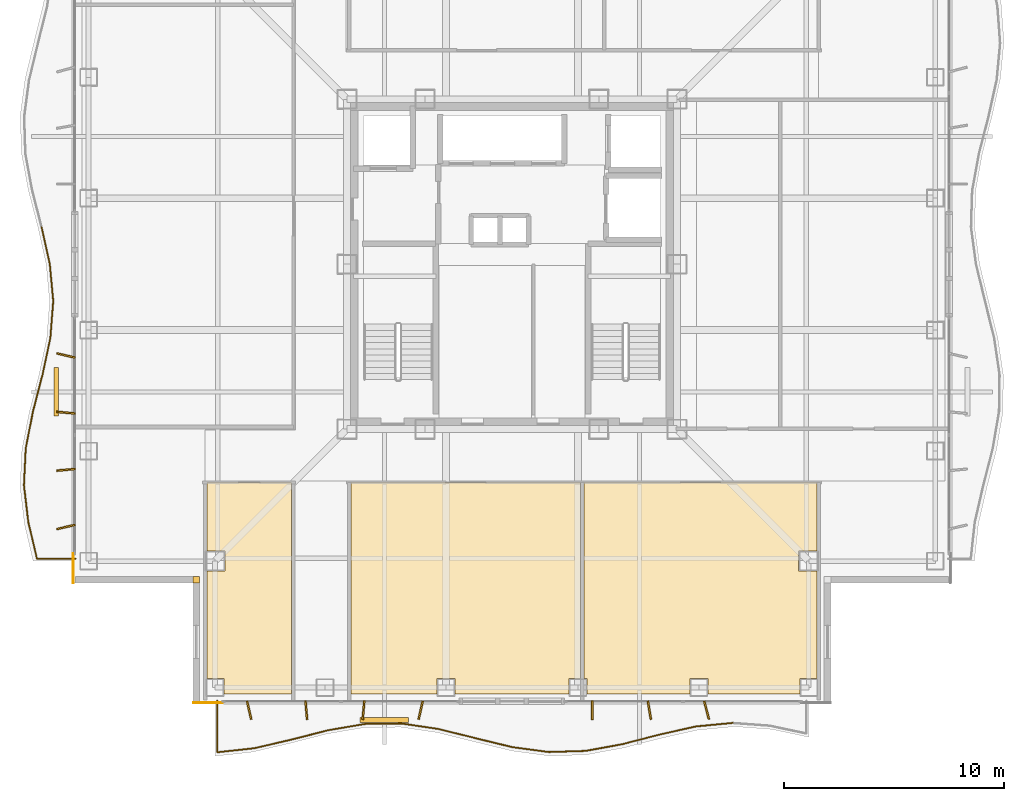
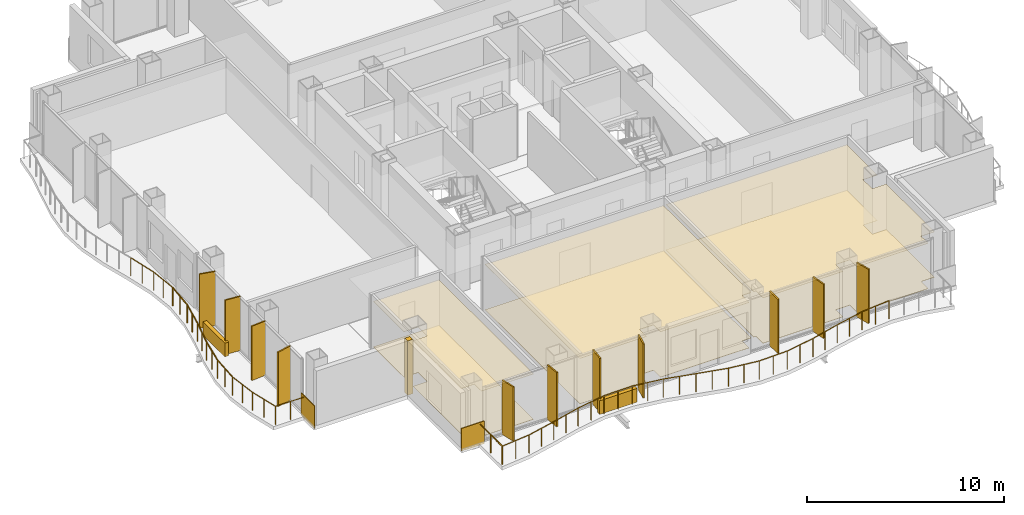
# One storey, part 13 of 16: 25 railings, 13 shading devices, 9 coverings.
"""IFC4 building model written with IfcOpenShell, lengths in metres."""

from ifc_helpers import new_model, si_unit, direction, frame, frame_2d, origin, origin_2d, place, context, subcontext, project, spatial, polyline, rectangle, circle, outline, extrude, material, layer, layer_set, type_object, element, save


model = new_model("IFC4")

# Units and contexts
model_context = context("Model", 3, precision=1e-05, world=origin(), true_north=direction((0.0, 1.0)))
body_context = subcontext(model_context, "Body", "Model", "MODEL_VIEW")
ifc_project = project(units=[si_unit("LENGTHUNIT", "METRE"), si_unit("AREAUNIT", "SQUARE_METRE"), si_unit("VOLUMEUNIT", "CUBIC_METRE"), si_unit("PLANEANGLEUNIT", "RADIAN"), si_unit("MASSUNIT", "GRAM", prefix="KILO")], contexts=[model_context])

# Site, building, storey
site_placement = place(None, origin())
site = spatial("IfcSite", under=ifc_project, at=site_placement, CompositionType="ELEMENT")
building_placement = place(site_placement, origin())
building = spatial("IfcBuilding", under=site, at=building_placement, Name="Trevonay Congress Spire", CompositionType="ELEMENT")
storey_placement = place(building_placement, frame((0.0, 0.0, 195.0)))
storey = spatial("IfcBuildingStorey", under=building, at=storey_placement, Name="L50", CompositionType="ELEMENT", Elevation=195.0)

# Coverings
ifc_material_1 = material(Name="Acoustic Mineral Fibre Board", Category="gypsum")
ifc_layer_1 = layer(ifc_material_1, 0.02490234375, Name="Acoustic Mineral Fibre Board")
ifc_layer_set_1 = layer_set([ifc_layer_1], Name="Acoustic Mineral Fibre Board")
covering_type_1 = type_object("IfcCoveringType", Name="COV-CEIL-ACOUSTIC", PredefinedType="CEILING", material=ifc_layer_set_1)
covering_1_placement = place(storey_placement, frame((0.0, 0.0, 2.81005859375)))
element("IfcCovering", 1, at=covering_1_placement, inside=storey, type_object=covering_type_1, Name="L50 Sommelier Wine Tasting Cellar acoustic suspended ceiling", PredefinedType="CEILING", context=body_context, shape_type="SweptSolid", body=[
    extrude(outline(polyline([(-13.8701171875, -9.929931640625), (-10.030029296875, -9.929931640625), (-10.030029296875, -19.550048828125), (-13.090087890625, -19.550048828125), (-13.090087890625, -18.840087890625), (-13.8701171875, -18.840087890625), (-13.8701171875, -13.9599609375), (-13.0400390625, -13.9599609375), (-13.0400390625, -13.0400390625), (-13.8701171875, -13.0400390625), (-13.8701171875, -9.929931640625)])), origin(), (0.0, 0.0, 1.0), 0.02490234375),
])
covering_2_placement = place(storey_placement, frame((0.0, 0.0, 2.81005859375)))
element("IfcCovering", 2, at=covering_2_placement, inside=storey, type_object=covering_type_1, Name="L50 Corporate Main Production Kitchen acoustic suspended ceiling", PredefinedType="CEILING", context=body_context, shape_type="SweptSolid", body=[
    extrude(outline(polyline([(-7.320068359375, -19.550048828125), (-7.320068359375, -9.929931640625), (3.1201171875, -9.929931640625), (3.1201171875, -18.840087890625), (2.590087890625, -18.840087890625), (2.590087890625, -19.550048828125), (-2.590087890625, -19.550048828125), (-2.590087890625, -18.840087890625), (-3.409912109375, -18.840087890625), (-3.409912109375, -19.550048828125), (-7.320068359375, -19.550048828125)])), origin(), (0.0, 0.0, 1.0), 0.02490234375),
])
covering_3_placement = place(storey_placement, frame((0.0, 0.0, 2.81005859375)))
element("IfcCovering", 3, at=covering_3_placement, inside=storey, type_object=covering_type_1, Name="L50 Pastry and Garde-Manger Kitchen acoustic suspended ceiling", PredefinedType="CEILING", context=body_context, shape_type="SweptSolid", body=[
    extrude(outline(polyline([(3.409912109375, -19.550048828125), (3.409912109375, -18.840087890625), (3.280029296875, -18.840087890625), (3.280029296875, -9.929931640625), (13.8701171875, -9.929931640625), (13.8701171875, -13.0400390625), (13.0400390625, -13.0400390625), (13.0400390625, -13.9599609375), (13.8701171875, -13.9599609375), (13.8701171875, -18.840087890625), (13.090087890625, -18.840087890625), (13.090087890625, -19.550048828125), (8.909912109375, -19.550048828125), (8.909912109375, -18.840087890625), (8.090087890625, -18.840087890625), (8.090087890625, -19.550048828125), (3.409912109375, -19.550048828125)])), origin(), (0.0, 0.0, 1.0), 0.02490234375),
])
ifc_material_2 = material(Name="Polished Granite Floor Tile", Category="masonry")
ifc_layer_2 = layer(ifc_material_2, 0.02001953125, Name="Polished Granite Floor Tile")
ifc_layer_set_2 = layer_set([ifc_layer_2], Name="Polished Granite Floor Tile")
covering_type_2 = type_object("IfcCoveringType", Name="COV-FLOOR-STONE", PredefinedType="FLOORING", material=ifc_layer_set_2)
covering_4_placement = place(storey_placement, origin())
element("IfcCovering", 4, at=covering_4_placement, inside=storey, type_object=covering_type_2, Name="L50 Sommelier Wine Tasting Cellar floor finish", PredefinedType="FLOORING", context=body_context, shape_type="SweptSolid", body=[
    extrude(outline(polyline([(-13.8701171875, -9.929931640625), (-10.030029296875, -9.929931640625), (-10.030029296875, -19.550048828125), (-13.090087890625, -19.550048828125), (-13.090087890625, -18.840087890625), (-13.8701171875, -18.840087890625), (-13.8701171875, -13.9599609375), (-13.0400390625, -13.9599609375), (-13.0400390625, -13.0400390625), (-13.8701171875, -13.0400390625), (-13.8701171875, -9.929931640625)])), origin(), (0.0, 0.0, 1.0), 0.02001953125),
])
covering_5_placement = place(storey_placement, origin())
element("IfcCovering", 5, at=covering_5_placement, inside=storey, type_object=covering_type_2, Name="L50 Corporate Main Production Kitchen floor finish", PredefinedType="FLOORING", context=body_context, shape_type="SweptSolid", body=[
    extrude(outline(polyline([(-7.320068359375, -19.550048828125), (-7.320068359375, -9.929931640625), (3.1201171875, -9.929931640625), (3.1201171875, -18.840087890625), (2.590087890625, -18.840087890625), (2.590087890625, -19.550048828125), (-2.590087890625, -19.550048828125), (-2.590087890625, -18.840087890625), (-3.409912109375, -18.840087890625), (-3.409912109375, -19.550048828125), (-7.320068359375, -19.550048828125)])), origin(), (0.0, 0.0, 1.0), 0.02001953125),
])
covering_6_placement = place(storey_placement, origin())
element("IfcCovering", 6, at=covering_6_placement, inside=storey, type_object=covering_type_2, Name="L50 Pastry and Garde-Manger Kitchen floor finish", PredefinedType="FLOORING", context=body_context, shape_type="SweptSolid", body=[
    extrude(outline(polyline([(3.409912109375, -19.550048828125), (3.409912109375, -18.840087890625), (3.280029296875, -18.840087890625), (3.280029296875, -9.929931640625), (13.8701171875, -9.929931640625), (13.8701171875, -13.0400390625), (13.0400390625, -13.0400390625), (13.0400390625, -13.9599609375), (13.8701171875, -13.9599609375), (13.8701171875, -18.840087890625), (13.090087890625, -18.840087890625), (13.090087890625, -19.550048828125), (8.909912109375, -19.550048828125), (8.909912109375, -18.840087890625), (8.090087890625, -18.840087890625), (8.090087890625, -19.550048828125), (3.409912109375, -19.550048828125)])), origin(), (0.0, 0.0, 1.0), 0.02001953125),
])
ifc_material_3 = material(Name="Pale Anodised Aluminium EN AW-6063-T6", Category="aluminium")
ifc_layer_3 = layer(ifc_material_3, 0.0400390625, Name="Pale Anodised Aluminium EN AW-6063-T6")
ifc_layer_set_3 = layer_set([ifc_layer_3], Name="Pale Anodised Aluminium EN AW-6063-T6")
covering_type_3 = type_object("IfcCoveringType", Name="COV-SPANDREL-PALE-METAL", PredefinedType="CLADDING", material=ifc_layer_set_3)
covering_7_placement = place(storey_placement, origin())
element("IfcCovering", 7, at=covering_7_placement, inside=storey, type_object=covering_type_3, Name="L50 SW re-entrant notch corner closure trim", PredefinedType="CLADDING", context=body_context, shape_type="SweptSolid", body=[
    extrude(outline(polyline([(-14.5, -14.5), (-14.199951171875, -14.5), (-14.199951171875, -14.199951171875), (-14.5, -14.199951171875), (-14.5, -14.5)])), origin(), (0.0, 0.0, 1.0), 3.360107421875),
])
for number, where, z_axis, x_axis, name in (
    (8, (-19.93994140625, -13.14990234375, -0.14990234375), (0.0, 0.0, 1.0), (0.0, -1.0, 0.0), "L50 SW corner pier spandrel cladding 1"),
    (9, (-13.14990234375, -19.93994140625, -0.14990234375), (0.0, 0.0, 1.0), (-1.0, 0.0, 0.0), "L50 SW corner pier spandrel cladding 2"),
):
    element("IfcCovering", number, at=place(storey_placement, frame(where, z_axis=z_axis, x_axis=x_axis)), inside=storey, type_object=covering_type_3, Name=name, PredefinedType="CLADDING", context=body_context, shape_type="SweptSolid", body=[
        extrude(rectangle(XDim=1.35009765625, YDim=0.0400390625, at=frame_2d((0.675048828125, 0.0))), origin(), (0.0, 0.0, 1.0), 1.39990234375),
    ])

# Railings
railing_type = type_object("IfcRailingType", Name="RAL-EXT-GUARD-115", PredefinedType="GUARDRAIL", material=ifc_material_3)
railing_1_placement = place(storey_placement, frame((-13.39208984375, -22.19189453125, 0.0)))
element("IfcRailing", 10, at=railing_1_placement, inside=storey, type_object=railing_type, Name="L50 perimeter safety guard GRD-L50-WAV-S-1", PredefinedType="GUARDRAIL", context=body_context, shape_type="SweptSolid", body=[
    extrude(circle(Radius=0.02392578125, at=origin_2d()), frame((0.0, 0.0, 1.1259765625), z_axis=(0.994087106012, 0.108585568383, 0.0), x_axis=(-0.108585568383, 0.994087106012, 0.0)), (0.0, 0.0, 1.0), 1.68408203125),
    extrude(circle(Radius=0.02099609375, at=origin_2d()), origin(), (0.0, 0.0, 1.0), 1.101806640625),
    extrude(circle(Radius=0.02099609375, at=origin_2d()), frame((0.8369140625, 0.09130859375, 0.0)), (0.0, 0.0, 1.0), 1.101806640625),
    extrude(circle(Radius=0.02099609375, at=origin_2d()), frame((1.674072265625, 0.182861328125, 0.0)), (0.0, 0.0, 1.0), 1.101806640625),
])
railing_2_placement = place(storey_placement, frame((-11.718017578125, -22.009033203125, 0.0)))
element("IfcRailing", 11, at=railing_2_placement, inside=storey, type_object=railing_type, Name="L50 perimeter safety guard GRD-L50-WAV-S-2", PredefinedType="GUARDRAIL", context=body_context, shape_type="SweptSolid", body=[
    extrude(circle(Radius=0.02392578125, at=origin_2d()), frame((0.0, 0.0, 1.1259765625), z_axis=(0.974184863114, 0.22575174967, 0.0), x_axis=(-0.22575174967, 0.974184863114, 0.0)), (0.0, 0.0, 1.0), 1.718505859375),
    extrude(circle(Radius=0.02099609375, at=origin_2d()), origin(), (0.0, 0.0, 1.0), 1.101806640625),
    extrude(circle(Radius=0.02099609375, at=origin_2d()), frame((0.8369140625, 0.19384765625, 0.0)), (0.0, 0.0, 1.0), 1.101806640625),
    extrude(circle(Radius=0.02099609375, at=origin_2d()), frame((1.674072265625, 0.387939453125, 0.0)), (0.0, 0.0, 1.0), 1.101806640625),
])
railing_3_placement = place(storey_placement, frame((-10.0439453125, -21.62109375, 0.0)))
element("IfcRailing", 12, at=railing_3_placement, inside=storey, type_object=railing_type, Name="L50 perimeter safety guard GRD-L50-WAV-S-3", PredefinedType="GUARDRAIL", context=body_context, shape_type="SweptSolid", body=[
    extrude(circle(Radius=0.02392578125, at=origin_2d()), frame((0.0, 0.0, 1.1259765625), z_axis=(0.968831892576, 0.247719123058, 0.0), x_axis=(-0.247719123058, 0.968831892576, 0.0)), (0.0, 0.0, 1.0), 1.727783203125),
    extrude(circle(Radius=0.02099609375, at=origin_2d()), origin(), (0.0, 0.0, 1.0), 1.101806640625),
    extrude(circle(Radius=0.02099609375, at=origin_2d()), frame((0.8369140625, 0.2138671875, 0.0)), (0.0, 0.0, 1.0), 1.101806640625),
    extrude(circle(Radius=0.02099609375, at=origin_2d()), frame((1.673828125, 0.427978515625, 0.0)), (0.0, 0.0, 1.0), 1.101806640625),
])
railing_4_placement = place(storey_placement, frame((-8.3701171875, -21.193115234375, 0.0)))
element("IfcRailing", 13, at=railing_4_placement, inside=storey, type_object=railing_type, Name="L50 perimeter safety guard GRD-L50-WAV-S-4", PredefinedType="GUARDRAIL", context=body_context, shape_type="SweptSolid", body=[
    extrude(circle(Radius=0.02392578125, at=origin_2d()), frame((0.0, 0.0, 1.1259765625), z_axis=(0.985609941587, 0.169035626558, 0.0), x_axis=(-0.169035626558, 0.985609941587, 0.0)), (0.0, 0.0, 1.0), 1.698486328125),
    extrude(circle(Radius=0.02099609375, at=origin_2d()), origin(), (0.0, 0.0, 1.0), 1.101806640625),
    extrude(circle(Radius=0.02099609375, at=origin_2d()), frame((0.8369140625, 0.1435546875, 0.0)), (0.0, 0.0, 1.0), 1.101806640625),
    extrude(circle(Radius=0.02099609375, at=origin_2d()), frame((1.674072265625, 0.287109375, 0.0)), (0.0, 0.0, 1.0), 1.101806640625),
])
railing_5_placement = place(storey_placement, frame((-6.696044921875, -20.906005859375, 0.0)))
element("IfcRailing", 14, at=railing_5_placement, inside=storey, type_object=railing_type, Name="L50 perimeter safety guard GRD-L50-WAV-S-5", PredefinedType="GUARDRAIL", context=body_context, shape_type="SweptSolid", body=[
    extrude(circle(Radius=0.02392578125, at=origin_2d()), frame((0.0, 0.0, 1.1259765625), z_axis=(0.999906050125, 0.013707331007, 0.0), x_axis=(-0.013707331007, 0.999906050125, 0.0)), (0.0, 0.0, 1.0), 1.67431640625),
    extrude(circle(Radius=0.02099609375, at=origin_2d()), origin(), (0.0, 0.0, 1.0), 1.101806640625),
    extrude(circle(Radius=0.02099609375, at=origin_2d()), frame((0.8369140625, 0.011474609375, 0.0)), (0.0, 0.0, 1.0), 1.101806640625),
    extrude(circle(Radius=0.02099609375, at=origin_2d()), frame((1.674072265625, 0.02294921875, 0.0)), (0.0, 0.0, 1.0), 1.101806640625),
])
railing_6_placement = place(storey_placement, frame((-5.02197265625, -20.883056640625, 0.0)))
element("IfcRailing", 15, at=railing_6_placement, inside=storey, type_object=railing_type, Name="L50 perimeter safety guard GRD-L50-WAV-S-6", PredefinedType="GUARDRAIL", context=body_context, shape_type="SweptSolid", body=[
    extrude(circle(Radius=0.02392578125, at=origin_2d()), frame((0.0, 0.0, 1.1259765625), z_axis=(0.989200363902, -0.146569574118, 0.0), x_axis=(0.146569574118, 0.989200363902, 0.0)), (0.0, 0.0, 1.0), 1.6923828125),
    extrude(circle(Radius=0.02099609375, at=origin_2d()), origin(), (0.0, 0.0, 1.0), 1.101806640625),
    extrude(circle(Radius=0.02099609375, at=origin_2d()), frame((0.8369140625, -0.1240234375, 0.0)), (0.0, 0.0, 1.0), 1.101806640625),
    extrude(circle(Radius=0.02099609375, at=origin_2d()), frame((1.674072265625, -0.248046875, 0.0)), (0.0, 0.0, 1.0), 1.101806640625),
])
railing_7_placement = place(storey_placement, frame((-3.347900390625, -21.131103515625, 0.0)))
element("IfcRailing", 16, at=railing_7_placement, inside=storey, type_object=railing_type, Name="L50 perimeter safety guard GRD-L50-WAV-S-7", PredefinedType="GUARDRAIL", context=body_context, shape_type="SweptSolid", body=[
    extrude(circle(Radius=0.02392578125, at=origin_2d()), frame((0.0, 0.0, 1.1259765625), z_axis=(0.970474646909, -0.241203150282, 0.0), x_axis=(0.241203150282, 0.970474646909, 0.0)), (0.0, 0.0, 1.0), 1.724853515625),
    extrude(circle(Radius=0.02099609375, at=origin_2d()), origin(), (0.0, 0.0, 1.0), 1.101806640625),
    extrude(circle(Radius=0.02099609375, at=origin_2d()), frame((0.8369140625, -0.2080078125, 0.0)), (0.0, 0.0, 1.0), 1.101806640625),
    extrude(circle(Radius=0.02099609375, at=origin_2d()), frame((1.673828125, -0.416015625, 0.0)), (0.0, 0.0, 1.0), 1.101806640625),
])
railing_8_placement = place(storey_placement, frame((-1.674072265625, -21.547119140625, 0.0)))
element("IfcRailing", 17, at=railing_8_placement, inside=storey, type_object=railing_type, Name="L50 perimeter safety guard GRD-L50-WAV-S-8", PredefinedType="GUARDRAIL", context=body_context, shape_type="SweptSolid", body=[
    extrude(circle(Radius=0.02392578125, at=origin_2d()), frame((0.0, 0.0, 1.1259765625), z_axis=(0.971567257964, -0.236763728753, 0.0), x_axis=(0.236763728753, 0.971567257964, 0.0)), (0.0, 0.0, 1.0), 1.72314453125),
    extrude(circle(Radius=0.02099609375, at=origin_2d()), origin(), (0.0, 0.0, 1.0), 1.101806640625),
    extrude(circle(Radius=0.02099609375, at=origin_2d()), frame((0.8369140625, -0.2041015625, 0.0)), (0.0, 0.0, 1.0), 1.101806640625),
    extrude(circle(Radius=0.02099609375, at=origin_2d()), frame((1.674072265625, -0.407958984375, 0.0)), (0.0, 0.0, 1.0), 1.101806640625),
])
railing_9_placement = place(storey_placement, frame((0.0, -21.955078125, 0.0)))
element("IfcRailing", 18, at=railing_9_placement, inside=storey, type_object=railing_type, Name="L50 perimeter safety guard GRD-L50-WAV-S-9", PredefinedType="GUARDRAIL", context=body_context, shape_type="SweptSolid", body=[
    extrude(circle(Radius=0.02392578125, at=origin_2d()), frame((0.0, 0.0, 1.1259765625), z_axis=(0.991023507112, -0.133687727006, 0.0), x_axis=(0.133687727006, 0.991023507112, 0.0)), (0.0, 0.0, 1.0), 1.689208984375),
    extrude(circle(Radius=0.02099609375, at=origin_2d()), origin(), (0.0, 0.0, 1.0), 1.101806640625),
    extrude(circle(Radius=0.02099609375, at=origin_2d()), frame((0.8369140625, -0.11279296875, 0.0)), (0.0, 0.0, 1.0), 1.101806640625),
    extrude(circle(Radius=0.02099609375, at=origin_2d()), frame((1.674072265625, -0.225830078125, 0.0)), (0.0, 0.0, 1.0), 1.101806640625),
])
railing_10_placement = place(storey_placement, frame((1.674072265625, -22.180908203125, 0.0)))
element("IfcRailing", 19, at=railing_10_placement, inside=storey, type_object=railing_type, Name="L50 perimeter safety guard GRD-L50-WAV-S-10", PredefinedType="GUARDRAIL", context=body_context, shape_type="SweptSolid", body=[
    extrude(circle(Radius=0.02392578125, at=origin_2d()), frame((0.0, 0.0, 1.1259765625), z_axis=(0.999535678922, 0.030470092896, 0.0), x_axis=(-0.030470092896, 0.999535678922, 0.0)), (0.0, 0.0, 1.0), 1.674560546875),
    extrude(circle(Radius=0.02099609375, at=origin_2d()), origin(), (0.0, 0.0, 1.0), 1.101806640625),
    extrude(circle(Radius=0.02099609375, at=origin_2d()), frame((0.8369140625, 0.025390625, 0.0)), (0.0, 0.0, 1.0), 1.101806640625),
    extrude(circle(Radius=0.02099609375, at=origin_2d()), frame((1.673828125, 0.051025390625, 0.0)), (0.0, 0.0, 1.0), 1.101806640625),
])
railing_11_placement = place(storey_placement, frame((3.347900390625, -22.1298828125, 0.0)))
element("IfcRailing", 20, at=railing_11_placement, inside=storey, type_object=railing_type, Name="L50 perimeter safety guard GRD-L50-WAV-S-11", PredefinedType="GUARDRAIL", context=body_context, shape_type="SweptSolid", body=[
    extrude(circle(Radius=0.02392578125, at=origin_2d()), frame((0.0, 0.0, 1.1259765625), z_axis=(0.983711143683, 0.179756462452, 0.0), x_axis=(-0.179756462452, 0.983711143683, 0.0)), (0.0, 0.0, 1.0), 1.701904296875),
    extrude(circle(Radius=0.02099609375, at=origin_2d()), origin(), (0.0, 0.0, 1.0), 1.101806640625),
    extrude(circle(Radius=0.02099609375, at=origin_2d()), frame((0.8369140625, 0.15283203125, 0.0)), (0.0, 0.0, 1.0), 1.101806640625),
    extrude(circle(Radius=0.02099609375, at=origin_2d()), frame((1.674072265625, 0.305908203125, 0.0)), (0.0, 0.0, 1.0), 1.101806640625),
])
railing_12_placement = place(storey_placement, frame((5.02197265625, -21.823974609375, 0.0)))
element("IfcRailing", 21, at=railing_12_placement, inside=storey, type_object=railing_type, Name="L50 perimeter safety guard GRD-L50-WAV-S-12", PredefinedType="GUARDRAIL", context=body_context, shape_type="SweptSolid", body=[
    extrude(circle(Radius=0.02392578125, at=origin_2d()), frame((0.0, 0.0, 1.1259765625), z_axis=(0.968159302664, 0.250334905006, 0.0), x_axis=(-0.250334905006, 0.968159302664, 0.0)), (0.0, 0.0, 1.0), 1.729248046875),
    extrude(circle(Radius=0.02099609375, at=origin_2d()), origin(), (0.0, 0.0, 1.0), 1.101806640625),
    extrude(circle(Radius=0.02099609375, at=origin_2d()), frame((0.8369140625, 0.21630859375, 0.0)), (0.0, 0.0, 1.0), 1.101806640625),
    extrude(circle(Radius=0.02099609375, at=origin_2d()), frame((1.674072265625, 0.432861328125, 0.0)), (0.0, 0.0, 1.0), 1.101806640625),
])
railing_13_placement = place(storey_placement, frame((6.696044921875, -21.39111328125, 0.0)))
element("IfcRailing", 22, at=railing_13_placement, inside=storey, type_object=railing_type, Name="L50 perimeter safety guard GRD-L50-WAV-S-13", PredefinedType="GUARDRAIL", context=body_context, shape_type="SweptSolid", body=[
    extrude(circle(Radius=0.02392578125, at=origin_2d()), frame((0.0, 0.0, 1.1259765625), z_axis=(0.975938606181, 0.218045492879, 0.0), x_axis=(-0.218045492879, 0.975938606181, 0.0)), (0.0, 0.0, 1.0), 1.71533203125),
    extrude(circle(Radius=0.02099609375, at=origin_2d()), origin(), (0.0, 0.0, 1.0), 1.101806640625),
    extrude(circle(Radius=0.02099609375, at=origin_2d()), frame((0.8369140625, 0.18701171875, 0.0)), (0.0, 0.0, 1.0), 1.101806640625),
    extrude(circle(Radius=0.02099609375, at=origin_2d()), frame((1.674072265625, 0.3740234375, 0.0)), (0.0, 0.0, 1.0), 1.101806640625),
])
railing_14_placement = place(storey_placement, frame((8.3701171875, -21.01708984375, 0.0)))
element("IfcRailing", 23, at=railing_14_placement, inside=storey, type_object=railing_type, Name="L50 perimeter safety guard GRD-L50-WAV-S-14", PredefinedType="GUARDRAIL", context=body_context, shape_type="SweptSolid", body=[
    extrude(circle(Radius=0.02392578125, at=origin_2d()), frame((0.0, 0.0, 1.1259765625), z_axis=(0.995508515073, 0.094672046649, 0.0), x_axis=(-0.094672046649, 0.995508515073, 0.0)), (0.0, 0.0, 1.0), 1.681396484375),
    extrude(circle(Radius=0.02099609375, at=origin_2d()), origin(), (0.0, 0.0, 1.0), 1.101806640625),
    extrude(circle(Radius=0.02099609375, at=origin_2d()), frame((0.8369140625, 0.07958984375, 0.0)), (0.0, 0.0, 1.0), 1.101806640625),
    extrude(circle(Radius=0.02099609375, at=origin_2d()), frame((1.673828125, 0.1591796875, 0.0)), (0.0, 0.0, 1.0), 1.101806640625),
])
railing_15_placement = place(storey_placement, frame((-13.39208984375, -19.840087890625, 0.0)))
element("IfcRailing", 24, at=railing_15_placement, inside=storey, type_object=railing_type, Name="L50 perimeter safety guard GRD-L50-WAV-S-34", PredefinedType="GUARDRAIL", context=body_context, shape_type="SweptSolid", body=[
    extrude(circle(Radius=0.02392578125, at=origin_2d()), frame((0.0, 0.0, 1.1259765625), z_axis=(0.0, -1.0, 0.0), x_axis=(1.0, 0.0, 0.0)), (0.0, 0.0, 1.0), 2.351806640625),
    extrude(circle(Radius=0.02099609375, at=origin_2d()), origin(), (0.0, 0.0, 1.0), 1.101806640625),
    extrude(circle(Radius=0.02099609375, at=origin_2d()), frame((0.0, -1.17578125, 0.0)), (0.0, 0.0, 1.0), 1.101806640625),
    extrude(circle(Radius=0.02099609375, at=origin_2d()), frame((0.0, -2.351806640625, 0.0)), (0.0, 0.0, 1.0), 1.101806640625),
])
railing_16_placement = place(storey_placement, frame((-21.385009765625, 1.674072265625, 0.0)))
element("IfcRailing", 25, at=railing_16_placement, inside=storey, type_object=railing_type, Name="L50 perimeter safety guard GRD-L50-WAV-W-25", PredefinedType="GUARDRAIL", context=body_context, shape_type="SweptSolid", body=[
    extrude(circle(Radius=0.02392578125, at=origin_2d()), frame((0.0, 0.0, 1.1259765625), z_axis=(0.21750314975, -0.976059619003, 0.0), x_axis=(0.976059619003, 0.21750314975, 0.0)), (0.0, 0.0, 1.0), 1.715087890625),
    extrude(circle(Radius=0.02099609375, at=origin_2d()), origin(), (0.0, 0.0, 1.0), 1.101806640625),
    extrude(circle(Radius=0.02099609375, at=origin_2d()), frame((0.1865234375, -0.8369140625, 0.0)), (0.0, 0.0, 1.0), 1.101806640625),
    extrude(circle(Radius=0.02099609375, at=origin_2d()), frame((0.373046875, -1.674072265625, 0.0)), (0.0, 0.0, 1.0), 1.101806640625),
])
railing_17_placement = place(storey_placement, frame((-21.011962890625, 0.0, 0.0)))
element("IfcRailing", 26, at=railing_17_placement, inside=storey, type_object=railing_type, Name="L50 perimeter safety guard GRD-L50-WAV-W-26", PredefinedType="GUARDRAIL", context=body_context, shape_type="SweptSolid", body=[
    extrude(circle(Radius=0.02392578125, at=origin_2d()), frame((0.0, 0.0, 1.1259765625), z_axis=(0.092211542092, -0.995739439565, 0.0), x_axis=(0.995739439565, 0.092211542092, 0.0)), (0.0, 0.0, 1.0), 1.68115234375),
    extrude(circle(Radius=0.02099609375, at=origin_2d()), origin(), (0.0, 0.0, 1.0), 1.101806640625),
    extrude(circle(Radius=0.02099609375, at=origin_2d()), frame((0.07763671875, -0.8369140625, 0.0)), (0.0, 0.0, 1.0), 1.101806640625),
    extrude(circle(Radius=0.02099609375, at=origin_2d()), frame((0.155029296875, -1.674072265625, 0.0)), (0.0, 0.0, 1.0), 1.101806640625),
])
railing_18_placement = place(storey_placement, frame((-20.85693359375, -1.674072265625, 0.0)))
element("IfcRailing", 27, at=railing_18_placement, inside=storey, type_object=railing_type, Name="L50 perimeter safety guard GRD-L50-WAV-W-27", PredefinedType="GUARDRAIL", context=body_context, shape_type="SweptSolid", body=[
    extrude(circle(Radius=0.02392578125, at=origin_2d()), frame((0.0, 0.0, 1.1259765625), z_axis=(-0.076930032853, -0.997036493838, 0.0), x_axis=(0.997036493838, -0.076930032853, 0.0)), (0.0, 0.0, 1.0), 1.6787109375),
    extrude(circle(Radius=0.02099609375, at=origin_2d()), origin(), (0.0, 0.0, 1.0), 1.101806640625),
    extrude(circle(Radius=0.02099609375, at=origin_2d()), frame((-0.064453125, -0.8369140625, 0.0)), (0.0, 0.0, 1.0), 1.101806640625),
    extrude(circle(Radius=0.02099609375, at=origin_2d()), frame((-0.129150390625, -1.673828125, 0.0)), (0.0, 0.0, 1.0), 1.101806640625),
])
railing_19_placement = place(storey_placement, frame((-20.986083984375, -3.347900390625, 0.0)))
element("IfcRailing", 28, at=railing_19_placement, inside=storey, type_object=railing_type, Name="L50 perimeter safety guard GRD-L50-WAV-W-28", PredefinedType="GUARDRAIL", context=body_context, shape_type="SweptSolid", body=[
    extrude(circle(Radius=0.02392578125, at=origin_2d()), frame((0.0, 0.0, 1.1259765625), z_axis=(-0.209071311394, -0.977900397153, 0.0), x_axis=(0.977900397153, -0.209071311394, 0.0)), (0.0, 0.0, 1.0), 1.7119140625),
    extrude(circle(Radius=0.02099609375, at=origin_2d()), origin(), (0.0, 0.0, 1.0), 1.101806640625),
    extrude(circle(Radius=0.02099609375, at=origin_2d()), frame((-0.178955078125, -0.8369140625, 0.0)), (0.0, 0.0, 1.0), 1.101806640625),
    extrude(circle(Radius=0.02099609375, at=origin_2d()), frame((-0.35791015625, -1.674072265625, 0.0)), (0.0, 0.0, 1.0), 1.101806640625),
])
railing_20_placement = place(storey_placement, frame((-21.343994140625, -5.02197265625, 0.0)))
element("IfcRailing", 29, at=railing_20_placement, inside=storey, type_object=railing_type, Name="L50 perimeter safety guard GRD-L50-WAV-W-29", PredefinedType="GUARDRAIL", context=body_context, shape_type="SweptSolid", body=[
    extrude(circle(Radius=0.02392578125, at=origin_2d()), frame((0.0, 0.0, 1.1259765625), z_axis=(-0.250996452618, -0.967988006524, 0.0), x_axis=(0.967988006524, -0.250996452618, 0.0)), (0.0, 0.0, 1.0), 1.7294921875),
    extrude(circle(Radius=0.02099609375, at=origin_2d()), origin(), (0.0, 0.0, 1.0), 1.101806640625),
    extrude(circle(Radius=0.02099609375, at=origin_2d()), frame((-0.217041015625, -0.8369140625, 0.0)), (0.0, 0.0, 1.0), 1.101806640625),
    extrude(circle(Radius=0.02099609375, at=origin_2d()), frame((-0.43408203125, -1.674072265625, 0.0)), (0.0, 0.0, 1.0), 1.101806640625),
])
railing_21_placement = place(storey_placement, frame((-21.778076171875, -6.696044921875, 0.0)))
element("IfcRailing", 30, at=railing_21_placement, inside=storey, type_object=railing_type, Name="L50 perimeter safety guard GRD-L50-WAV-W-30", PredefinedType="GUARDRAIL", context=body_context, shape_type="SweptSolid", body=[
    extrude(circle(Radius=0.02392578125, at=origin_2d()), frame((0.0, 0.0, 1.1259765625), z_axis=(-0.192757606256, -0.981246403933, 0.0), x_axis=(0.981246403933, -0.192757606256, 0.0)), (0.0, 0.0, 1.0), 1.7060546875),
    extrude(circle(Radius=0.02099609375, at=origin_2d()), origin(), (0.0, 0.0, 1.0), 1.101806640625),
    extrude(circle(Radius=0.02099609375, at=origin_2d()), frame((-0.16455078125, -0.8369140625, 0.0)), (0.0, 0.0, 1.0), 1.101806640625),
    extrude(circle(Radius=0.02099609375, at=origin_2d()), frame((-0.328857421875, -1.674072265625, 0.0)), (0.0, 0.0, 1.0), 1.101806640625),
])
railing_22_placement = place(storey_placement, frame((-22.10693359375, -8.3701171875, 0.0)))
element("IfcRailing", 31, at=railing_22_placement, inside=storey, type_object=railing_type, Name="L50 perimeter safety guard GRD-L50-WAV-W-31", PredefinedType="GUARDRAIL", context=body_context, shape_type="SweptSolid", body=[
    extrude(circle(Radius=0.02392578125, at=origin_2d()), frame((0.0, 0.0, 1.1259765625), z_axis=(-0.048949419911, -0.998801258655, 0.0), x_axis=(0.998801258655, -0.048949419911, 0.0)), (0.0, 0.0, 1.0), 1.67578125),
    extrude(circle(Radius=0.02099609375, at=origin_2d()), origin(), (0.0, 0.0, 1.0), 1.101806640625),
    extrude(circle(Radius=0.02099609375, at=origin_2d()), frame((-0.041015625, -0.8369140625, 0.0)), (0.0, 0.0, 1.0), 1.101806640625),
    extrude(circle(Radius=0.02099609375, at=origin_2d()), frame((-0.08203125, -1.673828125, 0.0)), (0.0, 0.0, 1.0), 1.101806640625),
])
railing_23_placement = place(storey_placement, frame((-22.18896484375, -10.0439453125, 0.0)))
element("IfcRailing", 32, at=railing_23_placement, inside=storey, type_object=railing_type, Name="L50 perimeter safety guard GRD-L50-WAV-W-32", PredefinedType="GUARDRAIL", context=body_context, shape_type="SweptSolid", body=[
    extrude(circle(Radius=0.02392578125, at=origin_2d()), frame((0.0, 0.0, 1.1259765625), z_axis=(0.116883264953, -0.9931456602, 0.0), x_axis=(0.9931456602, 0.116883264953, 0.0)), (0.0, 0.0, 1.0), 1.685546875),
    extrude(circle(Radius=0.02099609375, at=origin_2d()), origin(), (0.0, 0.0, 1.0), 1.101806640625),
    extrude(circle(Radius=0.02099609375, at=origin_2d()), frame((0.0986328125, -0.8369140625, 0.0)), (0.0, 0.0, 1.0), 1.101806640625),
    extrude(circle(Radius=0.02099609375, at=origin_2d()), frame((0.197021484375, -1.674072265625, 0.0)), (0.0, 0.0, 1.0), 1.101806640625),
])
railing_24_placement = place(storey_placement, frame((-21.991943359375, -11.718017578125, 0.0)))
element("IfcRailing", 33, at=railing_24_placement, inside=storey, type_object=railing_type, Name="L50 perimeter safety guard GRD-L50-WAV-W-33", PredefinedType="GUARDRAIL", context=body_context, shape_type="SweptSolid", body=[
    extrude(circle(Radius=0.02392578125, at=origin_2d()), frame((0.0, 0.0, 1.1259765625), z_axis=(0.229656370821, -0.973271776711, 0.0), x_axis=(0.973271776711, 0.229656370821, 0.0)), (0.0, 0.0, 1.0), 1.719970703125),
    extrude(circle(Radius=0.02099609375, at=origin_2d()), origin(), (0.0, 0.0, 1.0), 1.101806640625),
    extrude(circle(Radius=0.02099609375, at=origin_2d()), frame((0.197509765625, -0.8369140625, 0.0)), (0.0, 0.0, 1.0), 1.101806640625),
    extrude(circle(Radius=0.02099609375, at=origin_2d()), frame((0.39501953125, -1.674072265625, 0.0)), (0.0, 0.0, 1.0), 1.101806640625),
])
railing_25_placement = place(storey_placement, frame((-21.596923828125, -13.39208984375, 0.0)))
element("IfcRailing", 34, at=railing_25_placement, inside=storey, type_object=railing_type, Name="L50 perimeter safety guard GRD-L50-WAV-W-34", PredefinedType="GUARDRAIL", context=body_context, shape_type="SweptSolid", body=[
    extrude(circle(Radius=0.02392578125, at=origin_2d()), frame((0.0, 0.0, 1.1259765625), z_axis=(1.0, 0.0, 0.0), x_axis=(0.0, 1.0, 0.0)), (0.0, 0.0, 1.0), 1.7568359375),
    extrude(circle(Radius=0.02099609375, at=origin_2d()), origin(), (0.0, 0.0, 1.0), 1.101806640625),
    extrude(circle(Radius=0.02099609375, at=origin_2d()), frame((0.87841796875, 0.0, 0.0)), (0.0, 0.0, 1.0), 1.101806640625),
    extrude(circle(Radius=0.02099609375, at=origin_2d()), frame((1.7568359375, 0.0, 0.0)), (0.0, 0.0, 1.0), 1.101806640625),
])

# Shading devices
shading_device_type_1 = type_object("IfcShadingDeviceType", Name="SHD-FIN-Z3-PALE-METAL", PredefinedType="USERDEFINED", material=ifc_material_3)
for number, where, z_axis, x_axis, name in (
    (35, (-11.949951171875, -20.280029296875, 0.0), (0.0, 0.0, 1.0), (0.97440931131, 0.224780991261, 0.0), "L50 S vertical pale-metal solar fin 1"),
    (36, (-9.35009765625, -20.280029296875, 0.0), (0.0, 0.0, 1.0), (0.995994383933, 0.089415810539, 0.0), "L50 S vertical pale-metal solar fin 2"),
    (37, (-6.75, -20.280029296875, 0.0), (0.0, 0.0, 1.0), (0.995994383933, -0.089415810539, 0.0), "L50 S vertical pale-metal solar fin 3"),
    (38, (-4.14990234375, -20.280029296875, 0.0), (0.0, 0.0, 1.0), (0.97440931131, -0.224780991261, 0.0), "L50 S vertical pale-metal solar fin 4"),
    (39, (3.64990234375, -20.280029296875, 0.0), (0.0, 0.0, 1.0), (1.0, 0.0, 0.0), "L50 S vertical pale-metal solar fin 7"),
    (40, (6.25, -20.280029296875, 0.0), (0.0, 0.0, 1.0), (0.98587937025, 0.16745706111, 0.0), "L50 S vertical pale-metal solar fin 8"),
    (41, (8.85009765625, -20.280029296875, 0.0), (0.0, 0.0, 1.0), (0.966957007154, 0.2549394954, 0.0), "L50 S vertical pale-metal solar fin 9"),
    (42, (-20.280029296875, -11.949951171875, 0.0), (0.0, 0.0, 1.0), (-0.224780991261, 0.97440931131, 0.0), "L50 W vertical pale-metal solar fin 1"),
    (43, (-20.280029296875, -9.35009765625, 0.0), (0.0, 0.0, 1.0), (-0.089415810539, 0.995994383933, 0.0), "L50 W vertical pale-metal solar fin 2"),
    (44, (-20.280029296875, -6.75, 0.0), (0.0, 0.0, 1.0), (0.089415810539, 0.995994383933, 0.0), "L50 W vertical pale-metal solar fin 3"),
    (45, (-20.280029296875, -4.14990234375, 0.0), (0.0, 0.0, 1.0), (0.224780991261, 0.97440931131, 0.0), "L50 W vertical pale-metal solar fin 4"),
):
    element("IfcShadingDevice", number, at=place(storey_placement, frame(where, z_axis=z_axis, x_axis=x_axis)), inside=storey, type_object=shading_device_type_1, Name=name, ObjectType="SOLAR FIN", PredefinedType="USERDEFINED", context=body_context, shape_type="SweptSolid", body=[
        extrude(rectangle(XDim=0.080078125, YDim=0.85009765625, at=origin_2d()), origin(), (0.0, 0.0, 1.0), 3.360107421875),
    ])
shading_device_type_2 = type_object("IfcShadingDeviceType", Name="SHD-LOUVRE-WAVE-ALUM", PredefinedType="USERDEFINED", material=ifc_material_3)
for number, where, z_axis, x_axis, name in (
    (46, (-5.800048828125, -20.719970703125, -0.01513671875), (0.0, 0.0, 1.0), (1.0, 0.0, 0.0), "L50 S sinusoidal balcony horizontal sunshade louvre"),
    (47, (-20.719970703125, -5.800048828125, -0.01513671875), (0.0, 0.0, 1.0), (0.0, 1.0, 0.0), "L50 W sinusoidal balcony horizontal sunshade louvre"),
):
    element("IfcShadingDevice", number, at=place(storey_placement, frame(where, z_axis=z_axis, x_axis=x_axis)), inside=storey, type_object=shading_device_type_2, Name=name, ObjectType="LOUVRE", PredefinedType="USERDEFINED", context=body_context, shape_type="SweptSolid", body=[
        extrude(rectangle(XDim=2.199951171875, YDim=0.219970703125, at=origin_2d()), origin(), (0.0, 0.0, 1.0), 0.85009765625),
    ])

save(model, "model.ifc")
